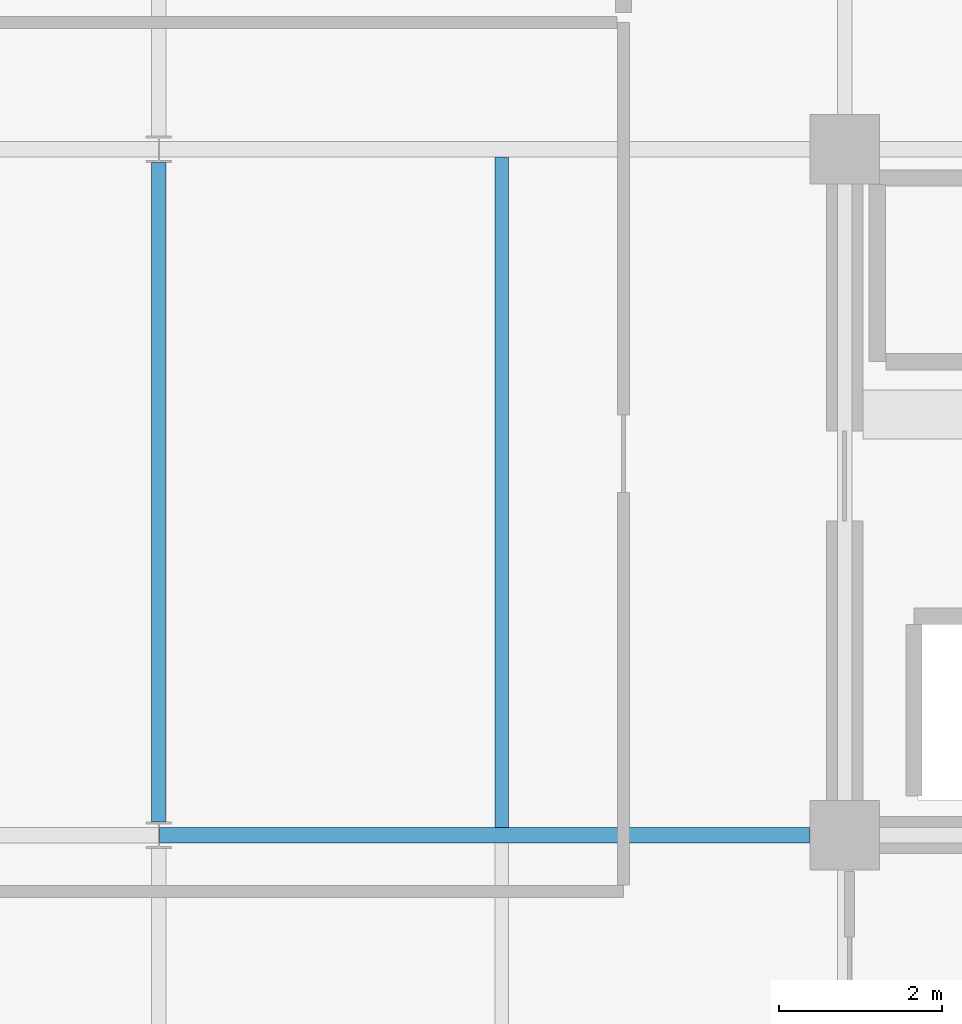
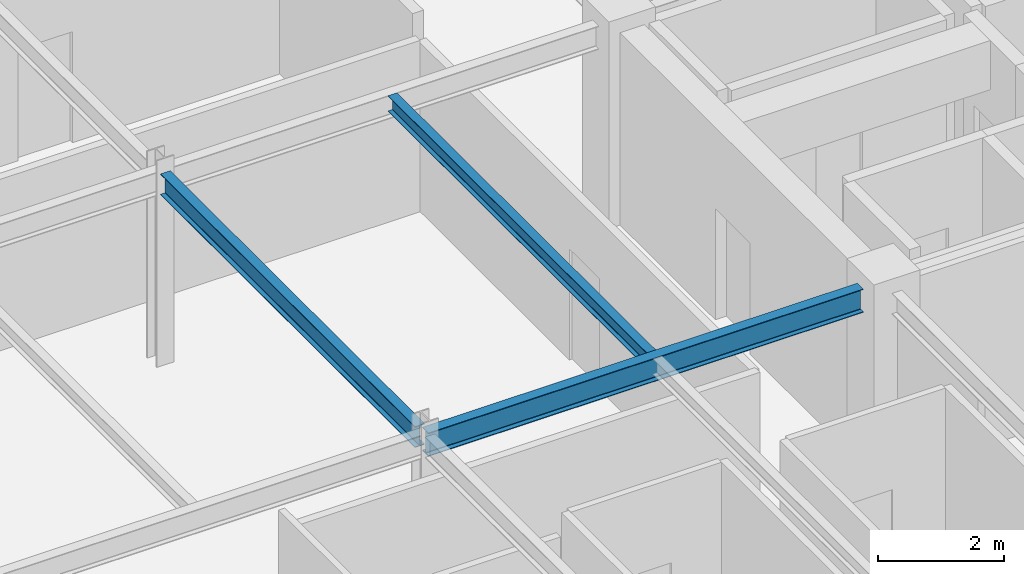
# One storey, part 6 of 26: 3 beams.
"""IFC4 building model written with IfcOpenShell, lengths in metres."""

from ifc_helpers import new_model, si_unit, direction, frame, origin, origin_2d, place, context, subcontext, project, spatial, i_section, extrude, material, material_profile, profile_set, type_object, element, save


model = new_model("IFC4")

# Units and contexts
model_context = context("Model", 3, precision=1e-05, world=origin(), true_north=direction((0.0, 1.0)))
body_context = subcontext(model_context, "Body", "Model", "MODEL_VIEW")
ifc_project = project(units=[si_unit("LENGTHUNIT", "METRE"), si_unit("AREAUNIT", "SQUARE_METRE"), si_unit("VOLUMEUNIT", "CUBIC_METRE"), si_unit("PLANEANGLEUNIT", "RADIAN"), si_unit("MASSUNIT", "GRAM", prefix="KILO")], contexts=[model_context])

# Site, building, storey
site_placement = place(None, origin())
site = spatial("IfcSite", under=ifc_project, at=site_placement, CompositionType="ELEMENT")
building_placement = place(site_placement, origin())
building = spatial("IfcBuilding", under=site, at=building_placement, Name="Nerrivon Quay Data Exchange", CompositionType="ELEMENT")
storey_placement = place(building_placement, frame((0.0, 0.0, 258.199951171875)))
storey = spatial("IfcBuildingStorey", under=building, at=storey_placement, Name="L61", CompositionType="ELEMENT", Elevation=258.199951171875)

# Beams
ifc_material = material(Name="Steel Grade 350", Category="steel")
ifc_material_profile_1 = material_profile(ifc_material, i_section(OverallWidth=0.18994140625, OverallDepth=0.4541015625, WebThickness=0.008544921875, FlangeThickness=0.0126953125, FilletRadius=0.011474609375, at=origin_2d()), Name="460UB67.1")
ifc_profile_set_1 = profile_set([ifc_material_profile_1], Name="Steel Grade 350")
beam_type_1 = type_object("IfcBeamType", Name="BM-G6-460UB67", PredefinedType="BEAM", material=ifc_profile_set_1)
beam_1_placement = place(storey_placement, frame((8.40771484375, 8.39990234375, 3.498046875), z_axis=(1.0, 0.0, 0.0), x_axis=(0.0, 1.0, 0.0)))
element("IfcBeam", 1, at=beam_1_placement, inside=storey, type_object=beam_type_1, Name="L61 EW Girder Y=8.4 (8.4..16.8)", PredefinedType="BEAM", context=body_context, shape_type="SweptSolid", body=[
    extrude(i_section(OverallWidth=0.18994140625, OverallDepth=0.4541015625, WebThickness=0.008544921875, FlangeThickness=0.0126953125, FilletRadius=0.011474609375, at=origin_2d()), origin(), (0.0, 0.0, 1.0), 7.96728515625),
])
ifc_material_profile_2 = material_profile(ifc_material, i_section(OverallWidth=0.177978515625, OverallDepth=0.406005859375, WebThickness=0.0078125, FlangeThickness=0.0126953125, FilletRadius=0.011474609375, at=origin_2d()), Name="410UB59.7")
ifc_profile_set_2 = profile_set([ifc_material_profile_2], Name="Steel Grade 350")
beam_type_2 = type_object("IfcBeamType", Name="BM-J1-410UB60", PredefinedType="JOIST", material=ifc_profile_set_2)
beam_2_placement = place(storey_placement, frame((8.39990234375, 8.5634765625, 3.52197265625), z_axis=(0.0, 1.0, 0.0), x_axis=(-1.0, 0.0, 0.0)))
element("IfcBeam", 2, at=beam_2_placement, inside=storey, type_object=beam_type_2, Name="L61 NS Girder X=8.4 (8.4..16.8)", PredefinedType="JOIST", context=body_context, shape_type="SweptSolid", body=[
    extrude(i_section(OverallWidth=0.177978515625, OverallDepth=0.406005859375, WebThickness=0.0078125, FlangeThickness=0.0126953125, FilletRadius=0.011474609375, at=origin_2d()), origin(), (0.0, 0.0, 1.0), 8.072998046875),
])
ifc_material_profile_3 = material_profile(ifc_material, i_section(OverallWidth=0.1650390625, OverallDepth=0.303955078125, WebThickness=0.006103515625, FlangeThickness=0.01025390625, FilletRadius=0.011474609375, at=origin_2d()), Name="310UB40.4")
ifc_profile_set_3 = profile_set([ifc_material_profile_3], Name="Steel Grade 350")
beam_type_3 = type_object("IfcBeamType", Name="BM-J6-310UB40", PredefinedType="JOIST", material=ifc_profile_set_3)
beam_3_placement = place(storey_placement, frame((12.60009765625, 8.4951171875, 3.572998046875), z_axis=(0.0, 1.0, 0.0), x_axis=(-1.0, 0.0, 0.0)))
element("IfcBeam", 3, at=beam_3_placement, inside=storey, type_object=beam_type_3, Name="L61 Secondary Joist X=12.6 (8.4..16.8)", PredefinedType="JOIST", context=body_context, shape_type="SweptSolid", body=[
    extrude(i_section(OverallWidth=0.1650390625, OverallDepth=0.303955078125, WebThickness=0.006103515625, FlangeThickness=0.01025390625, FilletRadius=0.011474609375, at=origin_2d()), origin(), (0.0, 0.0, 1.0), 8.2099609375),
])

save(model, "model.ifc")
